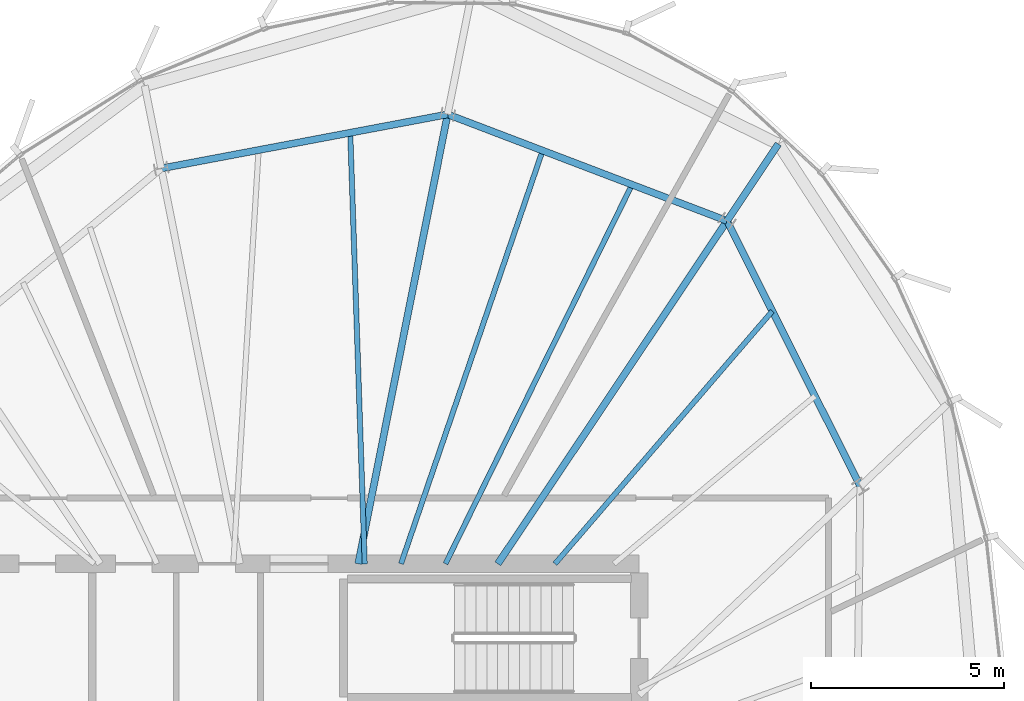
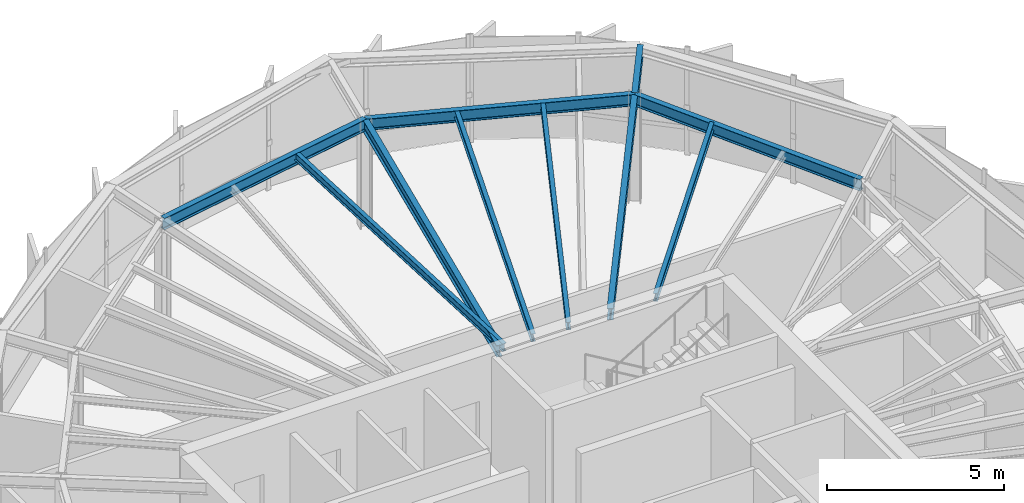
# One storey, part 16 of 27: 10 beams.
"""IFC4 building model written with IfcOpenShell, lengths in metres."""

from ifc_helpers import new_model, si_unit, direction, frame, origin, origin_2d, place, context, subcontext, project, spatial, i_section, extrude, source, transform, mapped, material, material_profile, profile_set, type_object, element, save


model = new_model("IFC4")

# Units and contexts
model_context = context("Model", 3, precision=1e-05, world=origin(), true_north=direction((0.0, 1.0)))
body_context = subcontext(model_context, "Body", "Model", "MODEL_VIEW")
ifc_project = project(units=[si_unit("LENGTHUNIT", "METRE"), si_unit("AREAUNIT", "SQUARE_METRE"), si_unit("VOLUMEUNIT", "CUBIC_METRE"), si_unit("PLANEANGLEUNIT", "RADIAN"), si_unit("MASSUNIT", "GRAM", prefix="KILO"), si_unit("THERMODYNAMICTEMPERATUREUNIT", "KELVIN")], contexts=[model_context])

# Site, building, storey
site_placement = place(None, origin())
site = spatial("IfcSite", under=ifc_project, at=site_placement, CompositionType="ELEMENT")
building_placement = place(site_placement, origin())
building = spatial("IfcBuilding", under=site, at=building_placement, Name="Kethvar Cultural Tower", CompositionType="ELEMENT")
storey_placement = place(building_placement, frame((0.0, 0.0, 308.300048828125)))
storey = spatial("IfcBuildingStorey", under=building, at=storey_placement, Name="L82", CompositionType="ELEMENT", Elevation=308.300048828125)

# Beams
ifc_material = material(Name="Steel S355J2", Category="steel")
ifc_material_profile_1 = material_profile(ifc_material, i_section(OverallWidth=0.135009765625, OverallDepth=0.27001953125, WebThickness=0.006591796875, FlangeThickness=0.01025390625, FilletRadius=0.014892578125, at=origin_2d()), Name="Steel S355J2 — IPE270")
ifc_profile_set_1 = profile_set([ifc_material_profile_1], Name="Steel S355J2 — IPE270")
beam_type_1 = type_object("IfcBeamType", Name="BM-J270", PredefinedType="JOIST", material=ifc_profile_set_1)
shared_shape_1 = source(origin(), body_context, "Body", "SweptSolid", [
    extrude(i_section(OverallWidth=0.135009765625, OverallDepth=0.27001953125, WebThickness=0.006591796875, FlangeThickness=0.01025390625, FilletRadius=0.014892578125, at=origin_2d()), origin(), (0.0, 0.0, 1.0), 8.6259765625),
])
beam_1_placement = place(storey_placement, frame((53.42333984375, 35.5, 3.597900390625), z_axis=(0.65210499689, 0.758128665222, 0.0), x_axis=(-0.758128665222, 0.65210499689, 0.0)))
element("IfcBeam", 1, at=beam_1_placement, inside=storey, type_object=beam_type_1, Name="L82 Composite Floor Joist J-02B", PredefinedType="JOIST", context=body_context, shape_type="MappedRepresentation", body=[
    mapped(shared_shape_1, transform((0.0, 0.0, 0.0), scale=1.0)),
])
shared_shape_2 = source(origin(), body_context, "Body", "SweptSolid", [
    extrude(i_section(OverallWidth=0.135009765625, OverallDepth=0.27001953125, WebThickness=0.006591796875, FlangeThickness=0.01025390625, FilletRadius=0.014892578125, at=origin_2d()), origin(), (0.0, 0.0, 1.0), 10.935791015625),
])
beam_2_placement = place(storey_placement, frame((50.5888671875, 35.5, 3.597900390625), z_axis=(0.441498236677, 0.897262117227, 0.0), x_axis=(-0.897262117227, 0.441498236677, 0.0)))
element("IfcBeam", 2, at=beam_2_placement, inside=storey, type_object=beam_type_1, Name="L82 Composite Floor Joist J-03A", PredefinedType="JOIST", context=body_context, shape_type="MappedRepresentation", body=[
    mapped(shared_shape_2, transform((0.0, 0.0, 0.0), scale=1.0)),
])
shared_shape_3 = source(origin(), body_context, "Body", "SweptSolid", [
    extrude(i_section(OverallWidth=0.135009765625, OverallDepth=0.27001953125, WebThickness=0.006591796875, FlangeThickness=0.01025390625, FilletRadius=0.014892578125, at=origin_2d()), origin(), (0.0, 0.0, 1.0), 11.304931640625),
])
beam_3_placement = place(storey_placement, frame((49.438720703125, 35.5, 3.597900390625), z_axis=(0.324179110764, 0.945995720997, 0.0), x_axis=(-0.945995720997, 0.324179110764, 0.0)))
element("IfcBeam", 3, at=beam_3_placement, inside=storey, type_object=beam_type_1, Name="L82 Composite Floor Joist J-03B", PredefinedType="JOIST", context=body_context, shape_type="MappedRepresentation", body=[
    mapped(shared_shape_3, transform((0.0, 0.0, 0.0), scale=1.0)),
])
shared_shape_4 = source(origin(), body_context, "Body", "SweptSolid", [
    extrude(i_section(OverallWidth=0.135009765625, OverallDepth=0.27001953125, WebThickness=0.006591796875, FlangeThickness=0.01025390625, FilletRadius=0.014892578125, at=origin_2d()), origin(), (0.0, 0.0, 1.0), 11.162109375),
])
beam_4_placement = place(storey_placement, frame((48.5, 35.5, 3.597900390625), z_axis=(-0.0335959409, 0.999435497046, 0.0), x_axis=(-0.999435497046, -0.0335959409, 0.0)))
element("IfcBeam", 4, at=beam_4_placement, inside=storey, type_object=beam_type_1, Name="L82 Composite Floor Joist J-04A", PredefinedType="JOIST", context=body_context, shape_type="MappedRepresentation", body=[
    mapped(shared_shape_4, transform((0.0, 0.0, 0.0), scale=1.0)),
])
ifc_material_profile_2 = material_profile(ifc_material, i_section(OverallWidth=0.179931640625, OverallDepth=0.39990234375, WebThickness=0.008544921875, FlangeThickness=0.013427734375, FilletRadius=0.02099609375, at=origin_2d()), Name="Steel S355J2 — IPE400")
ifc_profile_set_2 = profile_set([ifc_material_profile_2], Name="Steel S355J2 — IPE400")
beam_type_2 = type_object("IfcBeamType", Name="BM-IPE400", PredefinedType="BEAM", material=ifc_profile_set_2)
shared_shape_5 = source(origin(), body_context, "Body", "SweptSolid", [
    extrude(i_section(OverallWidth=0.179931640625, OverallDepth=0.39990234375, WebThickness=0.008544921875, FlangeThickness=0.013427734375, FilletRadius=0.02099609375, at=origin_2d()), origin(), (0.0, 0.0, 1.0), 10.673828125),
])
beam_5_placement = place(storey_placement, frame((51.945068359375, 35.5, 3.532958984375), z_axis=(0.555576086183, 0.831465701314, 0.0), x_axis=(-0.831465701314, 0.555576086183, 0.0)))
element("IfcBeam", 5, at=beam_5_placement, inside=storey, type_object=beam_type_2, Name="L82 Primary Radial Beam RB-03", PredefinedType="BEAM", context=body_context, shape_type="MappedRepresentation", body=[
    mapped(shared_shape_5, transform((0.0, 0.0, 0.0), scale=1.0)),
])
shared_shape_6 = source(origin(), body_context, "Body", "SweptSolid", [
    extrude(i_section(OverallWidth=0.179931640625, OverallDepth=0.39990234375, WebThickness=0.008544921875, FlangeThickness=0.013427734375, FilletRadius=0.02099609375, at=origin_2d()), origin(), (0.0, 0.0, 1.0), 11.859375),
])
beam_6_placement = place(storey_placement, frame((48.33154296875, 35.5, 3.532958984375), z_axis=(0.195094640585, 0.980784421377, 0.0), x_axis=(-0.980784421377, 0.195094640585, 0.0)))
element("IfcBeam", 6, at=beam_6_placement, inside=storey, type_object=beam_type_2, Name="L82 Primary Radial Beam RB-04", PredefinedType="BEAM", context=body_context, shape_type="MappedRepresentation", body=[
    mapped(shared_shape_6, transform((0.0, 0.0, 0.0), scale=1.0)),
])
shared_shape_7 = source(origin(), body_context, "Body", "SweptSolid", [
    extrude(i_section(OverallWidth=0.179931640625, OverallDepth=0.39990234375, WebThickness=0.008544921875, FlangeThickness=0.013427734375, FilletRadius=0.02099609375, at=origin_2d()), origin(), (0.0, 0.0, 1.0), 7.68701171875),
])
beam_7_placement = place(storey_placement, frame((61.32568359375, 37.505859375, 3.532958984375), z_axis=(-0.448864354142, 0.893599905763, 0.0), x_axis=(-0.893599905763, -0.448864354142, 0.0)))
element("IfcBeam", 7, at=beam_7_placement, inside=storey, type_object=beam_type_2, Name="L82 Column Ring Tie Beam CR-02", PredefinedType="BEAM", context=body_context, shape_type="MappedRepresentation", body=[
    mapped(shared_shape_7, transform((0.0, 0.0, 0.0), scale=1.0)),
])
shared_shape_8 = source(origin(), body_context, "Body", "SweptSolid", [
    extrude(i_section(OverallWidth=0.179931640625, OverallDepth=0.39990234375, WebThickness=0.008544921875, FlangeThickness=0.013427734375, FilletRadius=0.02099609375, at=origin_2d()), origin(), (0.0, 0.0, 1.0), 7.737548828125),
])
beam_8_placement = place(storey_placement, frame((57.875244140625, 44.375, 3.532958984375), z_axis=(-0.934388230776, 0.356256416347, 0.0), x_axis=(-0.356256416347, -0.934388230776, 0.0)))
element("IfcBeam", 8, at=beam_8_placement, inside=storey, type_object=beam_type_2, Name="L82 Column Ring Tie Beam CR-03", PredefinedType="BEAM", context=body_context, shape_type="MappedRepresentation", body=[
    mapped(shared_shape_8, transform((0.0, 0.0, 0.0), scale=1.0)),
])
shared_shape_9 = source(origin(), body_context, "Body", "SweptSolid", [
    extrude(i_section(OverallWidth=0.179931640625, OverallDepth=0.39990234375, WebThickness=0.008544921875, FlangeThickness=0.013427734375, FilletRadius=0.02099609375, at=origin_2d()), origin(), (0.0, 0.0, 1.0), 7.543212890625),
])
beam_9_placement = place(storey_placement, frame((50.645263671875, 47.131591796875, 3.532958984375), z_axis=(-0.982646853086, -0.185486285532, 0.0), x_axis=(0.185486285532, -0.982646853086, 0.0)))
element("IfcBeam", 9, at=beam_9_placement, inside=storey, type_object=beam_type_2, Name="L82 Column Ring Tie Beam CR-04", PredefinedType="BEAM", context=body_context, shape_type="MappedRepresentation", body=[
    mapped(shared_shape_9, transform((0.0, 0.0, 0.0), scale=1.0)),
])
shared_shape_10 = source(origin(), body_context, "Body", "SweptSolid", [
    extrude(i_section(OverallWidth=0.179931640625, OverallDepth=0.39990234375, WebThickness=0.008544921875, FlangeThickness=0.013427734375, FilletRadius=0.02099609375, at=origin_2d()), origin(), (0.0, 0.0, 1.0), 2.392822265625),
])
beam_10_placement = place(storey_placement, frame((57.875244140625, 44.375, 3.532958984375), z_axis=(0.55557109922, 0.831469033525, 0.0), x_axis=(-0.831469033525, 0.55557109922, 0.0)))
element("IfcBeam", 10, at=beam_10_placement, inside=storey, type_object=beam_type_2, Name="L82 Perimeter Cantilever Beam RC-03", PredefinedType="BEAM", context=body_context, shape_type="MappedRepresentation", body=[
    mapped(shared_shape_10, transform((0.0, 0.0, 0.0), scale=1.0)),
])

save(model, "model.ifc")
